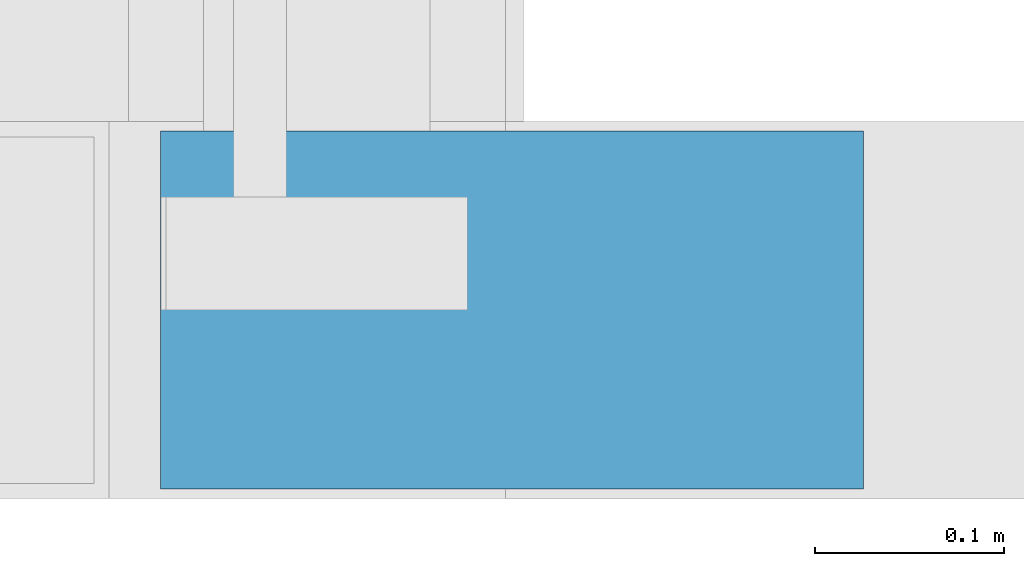
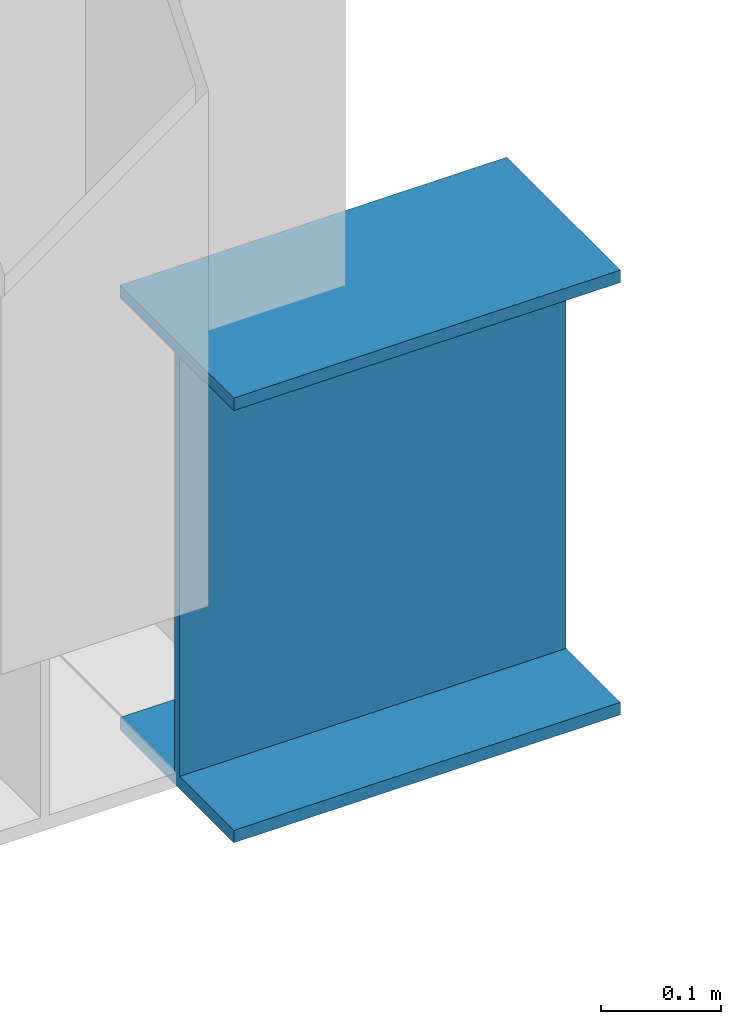
# One storey, part 138 of 646: 1 beam.
"""IFC4 building model written with IfcOpenShell, lengths in metres."""

from ifc_helpers import new_model, si_unit, direction, frame, origin, origin_2d, place, context, subcontext, project, spatial, i_section, extrude, material, material_profile, profile_set, type_object, element, save


model = new_model("IFC4")

# Units and contexts
model_context = context("Model", 3, precision=1e-05, world=origin(), true_north=direction((0.0, 1.0)))
body_context = subcontext(model_context, "Body", "Model", "MODEL_VIEW")
ifc_project = project(units=[si_unit("LENGTHUNIT", "METRE"), si_unit("AREAUNIT", "SQUARE_METRE"), si_unit("VOLUMEUNIT", "CUBIC_METRE"), si_unit("PLANEANGLEUNIT", "RADIAN"), si_unit("MASSUNIT", "GRAM", prefix="KILO")], contexts=[model_context])

# Site, building, storey
site_placement = place(None, origin())
site = spatial("IfcSite", under=ifc_project, at=site_placement, CompositionType="ELEMENT")
building_placement = place(site_placement, origin())
building = spatial("IfcBuilding", under=site, at=building_placement, Name="Silverbay Arena", CompositionType="ELEMENT")
storey_placement = place(building_placement, frame((0.0, 0.0, 33.5)))
storey = spatial("IfcBuildingStorey", under=building, at=storey_placement, Name="L05", CompositionType="ELEMENT", Elevation=33.5)

# Beam
ifc_material = material(Name="Steel S355", Category="steel")
ifc_material_profile = material_profile(ifc_material, i_section(OverallWidth=0.18994140625, OverallDepth=0.453369140625, WebThickness=0.008544921875, FlangeThickness=0.0126953125, at=origin_2d()), Name="UB 457x191x67")
ifc_profile_set = profile_set([ifc_material_profile], Name="Steel S355")
beam_type = type_object("IfcBeamType", Name="Ring beam UB 457x191x67", PredefinedType="BEAM", material=ifc_profile_set)
beam_placement = place(storey_placement, frame((207.127197265625, 9.0, 4.226806640625), z_axis=(1.0, 0.0, 0.0), x_axis=(0.0, 1.0, 0.0)))
element("IfcBeam", 1, at=beam_placement, inside=storey, type_object=beam_type, Name="RING BEAM south edge 24 EAST END", PredefinedType="BEAM", context=body_context, shape_type="SweptSolid", body=[
    extrude(i_section(OverallWidth=0.18994140625, OverallDepth=0.453369140625, WebThickness=0.008544921875, FlangeThickness=0.0126953125, at=origin_2d()), origin(), (0.0, 0.0, 1.0), 0.372802734375),
])

save(model, "model.ifc")
